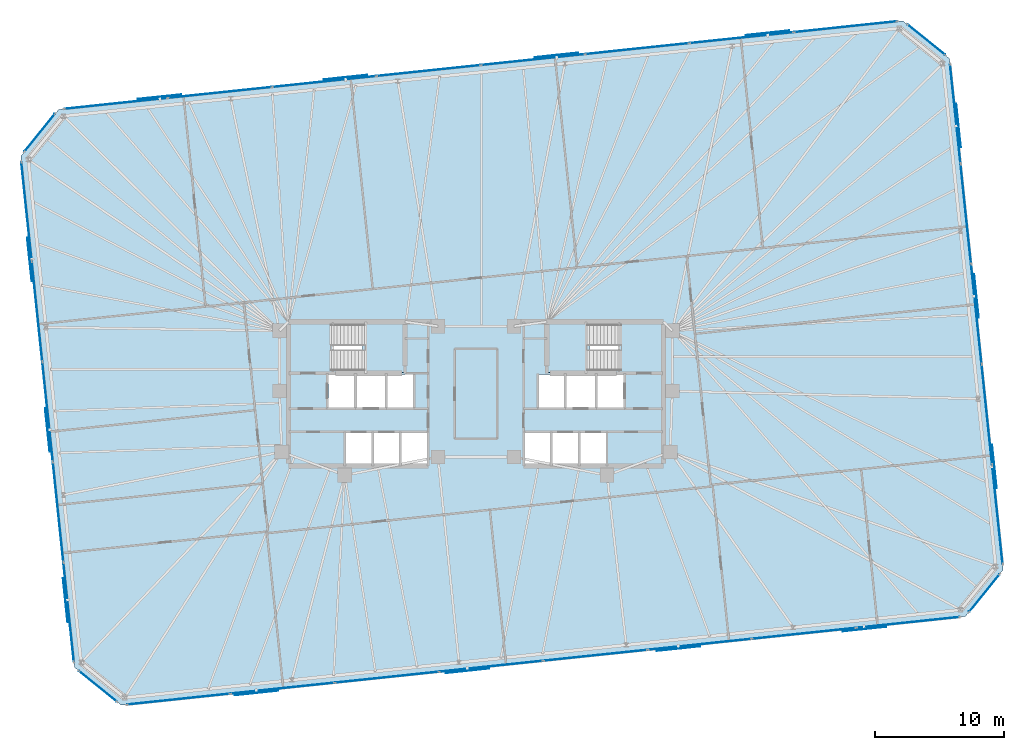
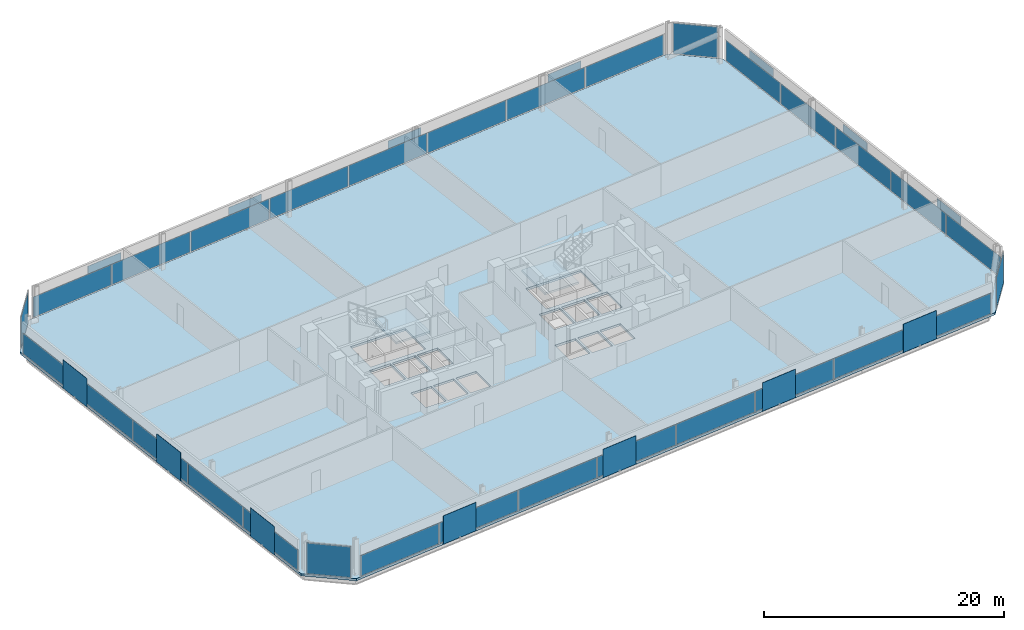
# One storey, part 13 of 18: 44 plates, 3 slabs, 10 elements without a shape of their own.
"""IFC4 building model written with IfcOpenShell, lengths in metres."""

from ifc_helpers import new_model, si_unit, direction, frame, origin, origin_2d, place, context, subcontext, project, spatial, polyline, rectangle, outline, extrude, material, layer, layer_set, type_object, element, aggregate, save


model = new_model("IFC4")

# Units and contexts
model_context = context("Model", 3, precision=1e-05, world=origin(), true_north=direction((0.0, 1.0)))
body_context = subcontext(model_context, "Body", "Model", "MODEL_VIEW")
ifc_project = project(units=[si_unit("LENGTHUNIT", "METRE"), si_unit("AREAUNIT", "SQUARE_METRE"), si_unit("VOLUMEUNIT", "CUBIC_METRE"), si_unit("PLANEANGLEUNIT", "RADIAN"), si_unit("MASSUNIT", "GRAM", prefix="KILO")], contexts=[model_context])

# Site, building, storey
site_placement = place(None, origin())
site = spatial("IfcSite", under=ifc_project, at=site_placement, CompositionType="ELEMENT")
building_placement = place(site_placement, origin())
building = spatial("IfcBuilding", under=site, at=building_placement, Name="Menara Jurai Vektor", CompositionType="ELEMENT")
storey_placement = place(building_placement, frame((0.0, 0.0, 139.199951171875)))
storey = spatial("IfcBuildingStorey", under=building, at=storey_placement, Name="L35", CompositionType="ELEMENT", Elevation=139.199951171875)

# Curtain wall, plates
ifc_material_1 = material(Name="Anodised Pale Aluminium & Low-E Double Glazing", Category="aluminium")
curtain_wall_type = type_object("IfcCurtainWallType", Name="CW-BLK2", PredefinedType="NOTDEFINED", material=ifc_material_1)
curtain_wall_1_placement = place(storey_placement, origin())
curtain_wall_1 = element("IfcCurtainWall", 1, at=curtain_wall_1_placement, inside=storey, type_object=curtain_wall_type, Name="Unitised Curtain Wall L35 F01", PredefinedType="NOTDEFINED")
ifc_material_2 = material(Name="Low-E Solar-Control Double Glazed Unit", Category="glass")
ifc_layer_1 = layer(ifc_material_2, 0.033935546875)
ifc_layer_set_1 = layer_set([ifc_layer_1], Name="Low-E Solar-Control Double Glazed Unit")
plate_type_1 = type_object("IfcPlateType", Name="CW-BLK2-PNL", PredefinedType="CURTAIN_PANEL", material=ifc_layer_set_1)
plate_1_placement = place(storey_placement, frame((-23.090087890625, -23.69921875, 0.090087890625), z_axis=(0.0, 0.0, 1.0), x_axis=(0.994521877325, 0.104528634935, 0.0)))
plate_1 = element("IfcPlate", 2, at=plate_1_placement, type_object=plate_type_1, Name="CW-02 panel 1.1", PredefinedType="CURTAIN_PANEL", context=body_context, shape_type="SweptSolid", body=[
    extrude(rectangle(XDim=8.007568359375, YDim=0.033935546875, at=origin_2d()), origin(), (0.0, 0.0, 1.0), 2.0791015625),
])
plate_2_placement = place(storey_placement, frame((-15.014404296875, -22.850341796875, 0.090087890625), z_axis=(0.0, 0.0, 1.0), x_axis=(0.994521877325, 0.104528634935, 0.0)))
plate_2 = element("IfcPlate", 3, at=plate_2_placement, type_object=plate_type_1, Name="CW-02 panel 2.1", PredefinedType="CURTAIN_PANEL", context=body_context, shape_type="SweptSolid", body=[
    extrude(rectangle(XDim=8.052490234375, YDim=0.033935546875, at=origin_2d()), origin(), (0.0, 0.0, 1.0), 2.0791015625),
])
plate_3_placement = place(storey_placement, frame((-6.91650390625, -21.999267578125, 0.090087890625), z_axis=(0.0, 0.0, 1.0), x_axis=(0.994521877325, 0.104528634935, 0.0)))
plate_3 = element("IfcPlate", 4, at=plate_3_placement, type_object=plate_type_1, Name="CW-02 panel 3.1", PredefinedType="CURTAIN_PANEL", context=body_context, shape_type="SweptSolid", body=[
    extrude(rectangle(XDim=8.052490234375, YDim=0.033935546875, at=origin_2d()), origin(), (0.0, 0.0, 1.0), 2.0791015625),
])
plate_4_placement = place(storey_placement, frame((1.181396484375, -21.148193359375, 0.090087890625), z_axis=(0.0, 0.0, 1.0), x_axis=(0.994521877325, 0.104528634935, 0.0)))
plate_4 = element("IfcPlate", 5, at=plate_4_placement, type_object=plate_type_1, Name="CW-02 panel 4.1", PredefinedType="CURTAIN_PANEL", context=body_context, shape_type="SweptSolid", body=[
    extrude(rectangle(XDim=8.052490234375, YDim=0.033935546875, at=origin_2d()), origin(), (0.0, 0.0, 1.0), 2.0791015625),
])
plate_5_placement = place(storey_placement, frame((9.279296875, -20.297119140625, 0.090087890625), z_axis=(0.0, 0.0, 1.0), x_axis=(0.994521877325, 0.104528634935, 0.0)))
plate_5 = element("IfcPlate", 6, at=plate_5_placement, type_object=plate_type_1, Name="CW-02 panel 5.1", PredefinedType="CURTAIN_PANEL", context=body_context, shape_type="SweptSolid", body=[
    extrude(rectangle(XDim=8.052490234375, YDim=0.033935546875, at=origin_2d()), origin(), (0.0, 0.0, 1.0), 2.0791015625),
])
plate_6_placement = place(storey_placement, frame((17.377197265625, -19.44580078125, 0.090087890625), z_axis=(0.0, 0.0, 1.0), x_axis=(0.994521877325, 0.104528634935, 0.0)))
plate_6 = element("IfcPlate", 7, at=plate_6_placement, type_object=plate_type_1, Name="CW-02 panel 6.1", PredefinedType="CURTAIN_PANEL", context=body_context, shape_type="SweptSolid", body=[
    extrude(rectangle(XDim=8.052490234375, YDim=0.033935546875, at=origin_2d()), origin(), (0.0, 0.0, 1.0), 2.0791015625),
])
plate_7_placement = place(storey_placement, frame((25.47509765625, -18.5947265625, 0.090087890625), z_axis=(0.0, 0.0, 1.0), x_axis=(0.994521877325, 0.104528634935, 0.0)))
plate_7 = element("IfcPlate", 8, at=plate_7_placement, type_object=plate_type_1, Name="CW-02 panel 7.1", PredefinedType="CURTAIN_PANEL", context=body_context, shape_type="SweptSolid", body=[
    extrude(rectangle(XDim=8.052490234375, YDim=0.033935546875, at=origin_2d()), origin(), (0.0, 0.0, 1.0), 2.0791015625),
])
plate_8_placement = place(storey_placement, frame((33.550537109375, -17.74609375, 0.090087890625), z_axis=(0.0, 0.0, 1.0), x_axis=(0.994521877325, 0.104528634935, 0.0)))
plate_8 = element("IfcPlate", 9, at=plate_8_placement, type_object=plate_type_1, Name="CW-02 panel 8.1", PredefinedType="CURTAIN_PANEL", context=body_context, shape_type="SweptSolid", body=[
    extrude(rectangle(XDim=8.007568359375, YDim=0.033935546875, at=origin_2d()), origin(), (0.0, 0.0, 1.0), 2.0791015625),
])
aggregate(curtain_wall_1, [plate_1, plate_2, plate_3, plate_4, plate_5, plate_6, plate_7, plate_8])

curtain_wall_2_placement = place(storey_placement, origin())
curtain_wall_2 = element("IfcCurtainWall", 10, at=curtain_wall_2_placement, inside=storey, type_object=curtain_wall_type, Name="Unitised Curtain Wall L35 F03", PredefinedType="NOTDEFINED")
plate_9_placement = place(storey_placement, frame((40.485595703125, -9.358642578125, 0.090087890625), z_axis=(0.0, 0.0, 1.0), x_axis=(-0.104529576902, 0.99452177832, 0.0)))
plate_9 = element("IfcPlate", 11, at=plate_9_placement, type_object=plate_type_1, Name="CW-02 panel 1.1", PredefinedType="CURTAIN_PANEL", context=body_context, shape_type="SweptSolid", body=[
    extrude(rectangle(XDim=7.693115234375, YDim=0.033935546875, at=origin_2d()), origin(), (0.0, 0.0, 1.0), 2.0791015625),
])
plate_10_placement = place(storey_placement, frame((39.669677734375, -1.595947265625, 0.090087890625), z_axis=(0.0, 0.0, 1.0), x_axis=(-0.104529576902, 0.99452177832, 0.0)))
plate_10 = element("IfcPlate", 12, at=plate_10_placement, type_object=plate_type_1, Name="CW-02 panel 2.1", PredefinedType="CURTAIN_PANEL", context=body_context, shape_type="SweptSolid", body=[
    extrude(rectangle(XDim=7.738037109375, YDim=0.033935546875, at=origin_2d()), origin(), (0.0, 0.0, 1.0), 2.0791015625),
])
plate_11_placement = place(storey_placement, frame((38.8515625, 6.189208984375, 0.090087890625), z_axis=(0.0, 0.0, 1.0), x_axis=(-0.104529576902, 0.99452177832, 0.0)))
plate_11 = element("IfcPlate", 13, at=plate_11_placement, type_object=plate_type_1, Name="CW-02 panel 3.1", PredefinedType="CURTAIN_PANEL", context=body_context, shape_type="SweptSolid", body=[
    extrude(rectangle(XDim=7.738037109375, YDim=0.033935546875, at=origin_2d()), origin(), (0.0, 0.0, 1.0), 2.0791015625),
])
plate_12_placement = place(storey_placement, frame((38.033203125, 13.974365234375, 0.090087890625), z_axis=(0.0, 0.0, 1.0), x_axis=(-0.104529576902, 0.99452177832, 0.0)))
plate_12 = element("IfcPlate", 14, at=plate_12_placement, type_object=plate_type_1, Name="CW-02 panel 4.1", PredefinedType="CURTAIN_PANEL", context=body_context, shape_type="SweptSolid", body=[
    extrude(rectangle(XDim=7.738037109375, YDim=0.033935546875, at=origin_2d()), origin(), (0.0, 0.0, 1.0), 2.0791015625),
])
plate_13_placement = place(storey_placement, frame((37.21728515625, 21.737060546875, 0.090087890625), z_axis=(0.0, 0.0, 1.0), x_axis=(-0.104529576902, 0.99452177832, 0.0)))
plate_13 = element("IfcPlate", 15, at=plate_13_placement, type_object=plate_type_1, Name="CW-02 panel 5.1", PredefinedType="CURTAIN_PANEL", context=body_context, shape_type="SweptSolid", body=[
    extrude(rectangle(XDim=7.693115234375, YDim=0.033935546875, at=origin_2d()), origin(), (0.0, 0.0, 1.0), 2.0791015625),
])
aggregate(curtain_wall_2, [plate_9, plate_10, plate_11, plate_12, plate_13])

curtain_wall_3_placement = place(storey_placement, origin())
curtain_wall_3 = element("IfcCurtainWall", 16, at=curtain_wall_3_placement, inside=storey, type_object=curtain_wall_type, Name="Unitised Curtain Wall L35 F05", PredefinedType="NOTDEFINED")
plate_14_placement = place(storey_placement, frame((28.68994140625, 28.499267578125, 0.090087890625), z_axis=(0.0, 0.0, 1.0), x_axis=(-0.994521877325, -0.104528634935, 0.0)))
plate_14 = element("IfcPlate", 17, at=plate_14_placement, type_object=plate_type_1, Name="CW-02 panel 1.1", PredefinedType="CURTAIN_PANEL", context=body_context, shape_type="SweptSolid", body=[
    extrude(rectangle(XDim=8.007568359375, YDim=0.033935546875, at=origin_2d()), origin(), (0.0, 0.0, 1.0), 2.0791015625),
])
plate_15_placement = place(storey_placement, frame((20.614501953125, 27.650390625, 0.090087890625), z_axis=(0.0, 0.0, 1.0), x_axis=(-0.994521877325, -0.104528634935, 0.0)))
plate_15 = element("IfcPlate", 18, at=plate_15_placement, type_object=plate_type_1, Name="CW-02 panel 2.1", PredefinedType="CURTAIN_PANEL", context=body_context, shape_type="SweptSolid", body=[
    extrude(rectangle(XDim=8.052490234375, YDim=0.033935546875, at=origin_2d()), origin(), (0.0, 0.0, 1.0), 2.0791015625),
])
plate_16_placement = place(storey_placement, frame((12.5166015625, 26.79931640625, 0.090087890625), z_axis=(0.0, 0.0, 1.0), x_axis=(-0.994521877325, -0.104528634935, 0.0)))
plate_16 = element("IfcPlate", 19, at=plate_16_placement, type_object=plate_type_1, Name="CW-02 panel 3.1", PredefinedType="CURTAIN_PANEL", context=body_context, shape_type="SweptSolid", body=[
    extrude(rectangle(XDim=8.052490234375, YDim=0.033935546875, at=origin_2d()), origin(), (0.0, 0.0, 1.0), 2.0791015625),
])
plate_17_placement = place(storey_placement, frame((4.418701171875, 25.9482421875, 0.090087890625), z_axis=(0.0, 0.0, 1.0), x_axis=(-0.994521877325, -0.104528634935, 0.0)))
plate_17 = element("IfcPlate", 20, at=plate_17_placement, type_object=plate_type_1, Name="CW-02 panel 4.1", PredefinedType="CURTAIN_PANEL", context=body_context, shape_type="SweptSolid", body=[
    extrude(rectangle(XDim=8.052490234375, YDim=0.033935546875, at=origin_2d()), origin(), (0.0, 0.0, 1.0), 2.0791015625),
])
plate_18_placement = place(storey_placement, frame((-3.67919921875, 25.096923828125, 0.090087890625), z_axis=(0.0, 0.0, 1.0), x_axis=(-0.994521877325, -0.104528634935, 0.0)))
plate_18 = element("IfcPlate", 21, at=plate_18_placement, type_object=plate_type_1, Name="CW-02 panel 5.1", PredefinedType="CURTAIN_PANEL", context=body_context, shape_type="SweptSolid", body=[
    extrude(rectangle(XDim=8.052490234375, YDim=0.033935546875, at=origin_2d()), origin(), (0.0, 0.0, 1.0), 2.0791015625),
])
plate_19_placement = place(storey_placement, frame((-11.777099609375, 24.245849609375, 0.090087890625), z_axis=(0.0, 0.0, 1.0), x_axis=(-0.994521877325, -0.104528634935, 0.0)))
plate_19 = element("IfcPlate", 22, at=plate_19_placement, type_object=plate_type_1, Name="CW-02 panel 6.1", PredefinedType="CURTAIN_PANEL", context=body_context, shape_type="SweptSolid", body=[
    extrude(rectangle(XDim=8.052490234375, YDim=0.033935546875, at=origin_2d()), origin(), (0.0, 0.0, 1.0), 2.0791015625),
])
plate_20_placement = place(storey_placement, frame((-19.875, 23.394775390625, 0.090087890625), z_axis=(0.0, 0.0, 1.0), x_axis=(-0.994521877325, -0.104528634935, 0.0)))
plate_20 = element("IfcPlate", 23, at=plate_20_placement, type_object=plate_type_1, Name="CW-02 panel 7.1", PredefinedType="CURTAIN_PANEL", context=body_context, shape_type="SweptSolid", body=[
    extrude(rectangle(XDim=8.052490234375, YDim=0.033935546875, at=origin_2d()), origin(), (0.0, 0.0, 1.0), 2.0791015625),
])
plate_21_placement = place(storey_placement, frame((-27.95068359375, 22.5458984375, 0.090087890625), z_axis=(0.0, 0.0, 1.0), x_axis=(-0.994521877325, -0.104528634935, 0.0)))
plate_21 = element("IfcPlate", 24, at=plate_21_placement, type_object=plate_type_1, Name="CW-02 panel 8.1", PredefinedType="CURTAIN_PANEL", context=body_context, shape_type="SweptSolid", body=[
    extrude(rectangle(XDim=8.007568359375, YDim=0.033935546875, at=origin_2d()), origin(), (0.0, 0.0, 1.0), 2.0791015625),
])
aggregate(curtain_wall_3, [plate_14, plate_15, plate_16, plate_17, plate_18, plate_19, plate_20, plate_21])

curtain_wall_4_placement = place(storey_placement, origin())
curtain_wall_4 = element("IfcCurtainWall", 25, at=curtain_wall_4_placement, inside=storey, type_object=curtain_wall_type, Name="Unitised Curtain Wall L35 F07", PredefinedType="NOTDEFINED")
plate_22_placement = place(storey_placement, frame((-34.885498046875, 14.15869140625, 0.090087890625), z_axis=(0.0, 0.0, 1.0), x_axis=(0.104529576902, -0.99452177832, 0.0)))
plate_22 = element("IfcPlate", 26, at=plate_22_placement, type_object=plate_type_1, Name="CW-02 panel 1.1", PredefinedType="CURTAIN_PANEL", context=body_context, shape_type="SweptSolid", body=[
    extrude(rectangle(XDim=7.693115234375, YDim=0.033935546875, at=origin_2d()), origin(), (0.0, 0.0, 1.0), 2.0791015625),
])
plate_23_placement = place(storey_placement, frame((-34.06982421875, 6.39599609375, 0.090087890625), z_axis=(0.0, 0.0, 1.0), x_axis=(0.104529576902, -0.99452177832, 0.0)))
plate_23 = element("IfcPlate", 27, at=plate_23_placement, type_object=plate_type_1, Name="CW-02 panel 2.1", PredefinedType="CURTAIN_PANEL", context=body_context, shape_type="SweptSolid", body=[
    extrude(rectangle(XDim=7.738037109375, YDim=0.033935546875, at=origin_2d()), origin(), (0.0, 0.0, 1.0), 2.0791015625),
])
plate_24_placement = place(storey_placement, frame((-33.25146484375, -1.38916015625, 0.090087890625), z_axis=(0.0, 0.0, 1.0), x_axis=(0.104529576902, -0.99452177832, 0.0)))
plate_24 = element("IfcPlate", 28, at=plate_24_placement, type_object=plate_type_1, Name="CW-02 panel 3.1", PredefinedType="CURTAIN_PANEL", context=body_context, shape_type="SweptSolid", body=[
    extrude(rectangle(XDim=7.738037109375, YDim=0.033935546875, at=origin_2d()), origin(), (0.0, 0.0, 1.0), 2.0791015625),
])
plate_25_placement = place(storey_placement, frame((-32.43310546875, -9.17431640625, 0.090087890625), z_axis=(0.0, 0.0, 1.0), x_axis=(0.104529576902, -0.99452177832, 0.0)))
plate_25 = element("IfcPlate", 29, at=plate_25_placement, type_object=plate_type_1, Name="CW-02 panel 4.1", PredefinedType="CURTAIN_PANEL", context=body_context, shape_type="SweptSolid", body=[
    extrude(rectangle(XDim=7.738037109375, YDim=0.033935546875, at=origin_2d()), origin(), (0.0, 0.0, 1.0), 2.0791015625),
])
plate_26_placement = place(storey_placement, frame((-31.6171875, -16.93701171875, 0.090087890625), z_axis=(0.0, 0.0, 1.0), x_axis=(0.104529576902, -0.99452177832, 0.0)))
plate_26 = element("IfcPlate", 30, at=plate_26_placement, type_object=plate_type_1, Name="CW-02 panel 5.1", PredefinedType="CURTAIN_PANEL", context=body_context, shape_type="SweptSolid", body=[
    extrude(rectangle(XDim=7.693115234375, YDim=0.033935546875, at=origin_2d()), origin(), (0.0, 0.0, 1.0), 2.0791015625),
])
aggregate(curtain_wall_4, [plate_22, plate_23, plate_24, plate_25, plate_26])

# Curtain wall, plate
curtain_wall_5_placement = place(storey_placement, origin())
curtain_wall_5 = element("IfcCurtainWall", 31, at=curtain_wall_5_placement, inside=storey, type_object=curtain_wall_type, Name="Unitised Curtain Wall L35 F02", PredefinedType="NOTDEFINED")
ifc_material_3 = material(Name="Insulated Pale Aluminium Spandrel Panel", Category="aluminium")
ifc_layer_2 = layer(ifc_material_3, 0.06005859375)
ifc_layer_set_2 = layer_set([ifc_layer_2], Name="Insulated Pale Aluminium Spandrel Panel")
plate_type_2 = type_object("IfcPlateType", Name="CW-PNL-SP", PredefinedType="CURTAIN_PANEL", material=ifc_layer_set_2)
plate_27_placement = place(storey_placement, frame((39.46826171875, -15.465087890625, 0.08984375), z_axis=(0.0, 0.0, 1.0), x_axis=(0.62934106172, 0.777129222223, 0.0)))
plate_27 = element("IfcPlate", 32, at=plate_27_placement, type_object=plate_type_2, Name="CW-02 panel 1.1", PredefinedType="CURTAIN_PANEL", context=body_context, shape_type="SweptSolid", body=[
    extrude(rectangle(XDim=3.72705078125, YDim=0.06005859375, at=origin_2d()), origin(), (0.0, 0.0, 1.0), 3.114990234375),
])
aggregate(curtain_wall_5, [plate_27])

curtain_wall_6_placement = place(storey_placement, origin())
curtain_wall_6 = element("IfcCurtainWall", 33, at=curtain_wall_6_placement, inside=storey, type_object=curtain_wall_type, Name="Unitised Curtain Wall L35 F04", PredefinedType="NOTDEFINED")
plate_28_placement = place(storey_placement, frame((34.95263671875, 27.498291015625, 0.08984375), z_axis=(0.0, 0.0, 1.0), x_axis=(-0.777151877437, 0.629313085353, 0.0)))
plate_28 = element("IfcPlate", 34, at=plate_28_placement, type_object=plate_type_2, Name="CW-02 panel 1.1", PredefinedType="CURTAIN_PANEL", context=body_context, shape_type="SweptSolid", body=[
    extrude(rectangle(XDim=3.72705078125, YDim=0.06005859375, at=origin_2d()), origin(), (0.0, 0.0, 1.0), 3.114990234375),
])
aggregate(curtain_wall_6, [plate_28])

curtain_wall_7_placement = place(storey_placement, origin())
curtain_wall_7 = element("IfcCurtainWall", 35, at=curtain_wall_7_placement, inside=storey, type_object=curtain_wall_type, Name="Unitised Curtain Wall L35 F06", PredefinedType="NOTDEFINED")
plate_29_placement = place(storey_placement, frame((-33.868408203125, 20.264892578125, 0.08984375), z_axis=(0.0, 0.0, 1.0), x_axis=(-0.62934106172, -0.777129222223, 0.0)))
plate_29 = element("IfcPlate", 36, at=plate_29_placement, type_object=plate_type_2, Name="CW-02 panel 1.1", PredefinedType="CURTAIN_PANEL", context=body_context, shape_type="SweptSolid", body=[
    extrude(rectangle(XDim=3.72705078125, YDim=0.06005859375, at=origin_2d()), origin(), (0.0, 0.0, 1.0), 3.114990234375),
])
aggregate(curtain_wall_7, [plate_29])

curtain_wall_8_placement = place(storey_placement, origin())
curtain_wall_8 = element("IfcCurtainWall", 37, at=curtain_wall_8_placement, inside=storey, type_object=curtain_wall_type, Name="Unitised Curtain Wall L35 F08", PredefinedType="NOTDEFINED")
plate_30_placement = place(storey_placement, frame((-29.3525390625, -22.6982421875, 0.08984375), z_axis=(0.0, 0.0, 1.0), x_axis=(0.777151877437, -0.629313085353, 0.0)))
plate_30 = element("IfcPlate", 38, at=plate_30_placement, type_object=plate_type_2, Name="CW-02 panel 1.1", PredefinedType="CURTAIN_PANEL", context=body_context, shape_type="SweptSolid", body=[
    extrude(rectangle(XDim=3.72705078125, YDim=0.06005859375, at=origin_2d()), origin(), (0.0, 0.0, 1.0), 3.114990234375),
])
aggregate(curtain_wall_8, [plate_30])

# Plates
ifc_material_4 = material(Name="Anodised Pale Aluminium Perforated Screen", Category="aluminium")
ifc_layer_3 = layer(ifc_material_4, 0.02392578125)
ifc_layer_set_3 = layer_set([ifc_layer_3], Name="Anodised Pale Aluminium Perforated Screen")
plate_type_3 = type_object("IfcPlateType", Name="ENV-PLT-SCREEN", PredefinedType="USERDEFINED", material=ifc_layer_set_3)
for number, where, z_axis, x_axis, name in (
    (39, (-17.0361328125, -23.223876953125, -0.0498046875), (0.0, 0.0, 1.0), (0.994521895368, 0.104528463268, 0.0), "Perforated Pale-Metal Solar Screen L35-S01"),
    (40, (-0.651611328125, -21.501708984375, -0.0498046875), (0.0, 0.0, 1.0), (0.994521895368, 0.104528463268, 0.0), "Perforated Pale-Metal Solar Screen L35-S02"),
    (41, (15.7333984375, -19.779541015625, -0.0498046875), (0.0, 0.0, 1.0), (0.994521895368, 0.104528463268, 0.0), "Perforated Pale-Metal Solar Screen L35-S03"),
    (42, (30.15185546875, -18.26416015625, -0.0498046875), (0.0, 0.0, 1.0), (0.994521895368, 0.104528463268, 0.0), "Perforated Pale-Metal Solar Screen L35-S04"),
    (43, (40.2548828125, -5.63232421875, -0.0498046875), (0.0, 0.0, 1.0), (-0.104528463268, 0.994521895368, 0.0), "Perforated Pale-Metal Solar Screen L35-S05"),
    (44, (38.864501953125, 7.5947265625, -0.0498046875), (0.0, 0.0, 1.0), (-0.104528463268, 0.994521895368, 0.0), "Perforated Pale-Metal Solar Screen L35-S06"),
    (45, (37.474365234375, 20.822021484375, -0.0498046875), (0.0, 0.0, 1.0), (-0.104528463268, 0.994521895368, 0.0), "Perforated Pale-Metal Solar Screen L35-S07"),
    (46, (22.63623046875, 28.023681640625, -0.0498046875), (0.0, 0.0, 1.0), (-0.994521895368, -0.104528463268, 0.0), "Perforated Pale-Metal Solar Screen L35-S08"),
    (47, (6.25146484375, 26.3017578125, -0.0498046875), (0.0, 0.0, 1.0), (-0.994521895368, -0.104528463268, 0.0), "Perforated Pale-Metal Solar Screen L35-S09"),
    (48, (-10.13330078125, 24.57958984375, -0.0498046875), (0.0, 0.0, 1.0), (-0.994521895368, -0.104528463268, 0.0), "Perforated Pale-Metal Solar Screen L35-S10"),
    (49, (-24.5517578125, 23.064208984375, -0.0498046875), (0.0, 0.0, 1.0), (-0.994521895368, -0.104528463268, 0.0), "Perforated Pale-Metal Solar Screen L35-S11"),
    (50, (-34.65478515625, 10.432373046875, -0.0498046875), (0.0, 0.0, 1.0), (0.104528463268, -0.994521895368, 0.0), "Perforated Pale-Metal Solar Screen L35-S12"),
    (51, (-33.2646484375, -2.794677734375, -0.0498046875), (0.0, 0.0, 1.0), (0.104528463268, -0.994521895368, 0.0), "Perforated Pale-Metal Solar Screen L35-S13"),
    (52, (-31.87451171875, -16.02197265625, -0.0498046875), (0.0, 0.0, 1.0), (0.104528463268, -0.994521895368, 0.0), "Perforated Pale-Metal Solar Screen L35-S14"),
):
    element("IfcPlate", number, at=place(storey_placement, frame(where, z_axis=z_axis, x_axis=x_axis)), inside=storey, type_object=plate_type_3, Name=name, ObjectType="SCREEN", PredefinedType="USERDEFINED", context=body_context, shape_type="SweptSolid", body=[
        extrude(rectangle(XDim=3.39990234375, YDim=0.02392578125, at=origin_2d()), origin(), (0.0, 0.0, 1.0), 2.89990234375),
    ])

# Stair, slab
ifc_material_5 = material(Name="Concrete C40/50", Category="concrete")
stair_type = type_object("IfcStairType", Name="STAIR-DOGLEG-1500", PredefinedType="HALF_TURN_STAIR", material=ifc_material_5)
stair_1_placement = place(storey_placement, origin())
stair_1 = element("IfcStair", 53, at=stair_1_placement, inside=storey, type_object=stair_type, Name="Protected Exit Stair ST1 L35", PredefinedType="HALF_TURN_STAIR")
ifc_layer_4 = layer(ifc_material_5, 0.199951171875)
ifc_layer_set_4 = layer_set([ifc_layer_4], Name="Concrete C40/50")
slab_type_1 = type_object("IfcSlabType", Name="STAIR-LANDING-200", PredefinedType="LANDING", material=ifc_layer_set_4)
slab_1_placement = place(storey_placement, frame((0.0, 0.0, 1.650146484375)))
slab_1 = element("IfcSlab", 54, at=slab_1_placement, type_object=slab_type_1, Name="ST1 landing 1", PredefinedType="LANDING", context=body_context, shape_type="SweptSolid", body=[
    extrude(outline(polyline([(-8.800048828125, 1.64990234375), (-5.550048828125, 1.64990234375), (-5.550048828125, 5.550048828125), (-8.800048828125, 5.550048828125), (-8.800048828125, 1.64990234375)])), origin(), (0.0, 0.0, 1.0), 0.199951171875),
])
aggregate(stair_1, [slab_1])

stair_2_placement = place(storey_placement, origin())
stair_2 = element("IfcStair", 55, at=stair_2_placement, inside=storey, type_object=stair_type, Name="Protected Exit Stair ST2 L35", PredefinedType="HALF_TURN_STAIR")
slab_2_placement = place(storey_placement, frame((0.0, 0.0, 1.650146484375)))
slab_2 = element("IfcSlab", 56, at=slab_2_placement, type_object=slab_type_1, Name="ST2 landing 1", PredefinedType="LANDING", context=body_context, shape_type="SweptSolid", body=[
    extrude(outline(polyline([(5.550048828125, 1.64990234375), (8.800048828125, 1.64990234375), (8.800048828125, 5.550048828125), (5.550048828125, 5.550048828125), (5.550048828125, 1.64990234375)])), origin(), (0.0, 0.0, 1.0), 0.199951171875),
])
aggregate(stair_2, [slab_2])

# Slab
ifc_layer_5 = layer(ifc_material_5, 0.22509765625)
ifc_layer_set_5 = layer_set([ifc_layer_5], Name="Concrete C40/50")
slab_type_2 = type_object("IfcSlabType", Name="STR-SLAB-TYP200", PredefinedType="FLOOR", material=ifc_layer_set_5)
slab_3_placement = place(storey_placement, frame((0.0, 0.0, -0.224853515625)))
element("IfcSlab", 57, at=slab_3_placement, inside=storey, type_object=slab_type_2, Name="Composite Floor Slab L35", PredefinedType="FLOOR", context=body_context, shape_type="SweptSolid", body=[
    extrude(outline(polyline([(-27.539306640625, -24.166748046875), (37.999755859375, -17.2783203125), (40.936767578125, -13.651611328125), (36.76611328125, 26.02978515625), (33.13916015625, 28.966796875), (-32.39990234375, 22.078369140625), (-35.3369140625, 18.45166015625), (-31.166015625, -21.22998046875), (-27.539306640625, -24.166748046875)]), holes=[polyline([(-11.10009765625, 1.89990234375), (-11.10009765625, 5.300048828125), (-5.800048828125, 5.300048828125), (-5.800048828125, 1.89990234375), (-11.10009765625, 1.89990234375)]), polyline([(5.800048828125, 1.89990234375), (5.800048828125, 5.300048828125), (11.10009765625, 5.300048828125), (11.10009765625, 1.89990234375), (5.800048828125, 1.89990234375)]), polyline([(-11.449951171875, -1.050048828125), (-11.449951171875, 1.5), (-9.449951171875, 1.5), (-9.449951171875, -1.050048828125), (-11.449951171875, -1.050048828125)]), polyline([(9.449951171875, -1.050048828125), (9.449951171875, 1.5), (11.449951171875, 1.5), (11.449951171875, -1.050048828125), (9.449951171875, -1.050048828125)]), polyline([(-5.760009765625, -5.5), (-5.760009765625, -3.050048828125), (-3.800048828125, -3.050048828125), (-3.800048828125, -5.5), (-5.760009765625, -5.5)]), polyline([(-6.85009765625, -1.050048828125), (-6.85009765625, 1.5), (-4.889892578125, 1.5), (-4.889892578125, -1.050048828125), (-6.85009765625, -1.050048828125)]), polyline([(3.800048828125, -5.5), (3.800048828125, -3.050048828125), (5.760009765625, -3.050048828125), (5.760009765625, -5.5), (3.800048828125, -5.5)]), polyline([(4.889892578125, -1.050048828125), (4.889892578125, 1.5), (6.85009765625, 1.5), (6.85009765625, -1.050048828125), (4.889892578125, -1.050048828125)]), polyline([(-10.080078125, -5.5), (-10.080078125, -3.050048828125), (-8.1201171875, -3.050048828125), (-8.1201171875, -5.5), (-10.080078125, -5.5)]), polyline([(-7.919921875, -5.5), (-7.919921875, -3.050048828125), (-5.9599609375, -3.050048828125), (-5.9599609375, -5.5), (-7.919921875, -5.5)]), polyline([(5.9599609375, -5.5), (5.9599609375, -3.050048828125), (7.919921875, -3.050048828125), (7.919921875, -5.5), (5.9599609375, -5.5)]), polyline([(8.1201171875, -5.5), (8.1201171875, -3.050048828125), (10.080078125, -3.050048828125), (10.080078125, -5.5), (8.1201171875, -5.5)]), polyline([(-9.25, -1.050048828125), (-9.25, 1.5), (-7.050048828125, 1.5), (-7.050048828125, -1.050048828125), (-9.25, -1.050048828125)]), polyline([(7.050048828125, -1.050048828125), (7.050048828125, 1.5), (9.25, 1.5), (9.25, -1.050048828125), (7.050048828125, -1.050048828125)])]), origin(), (0.0, 0.0, 1.0), 0.224853515625),
])

save(model, "model.ifc")
